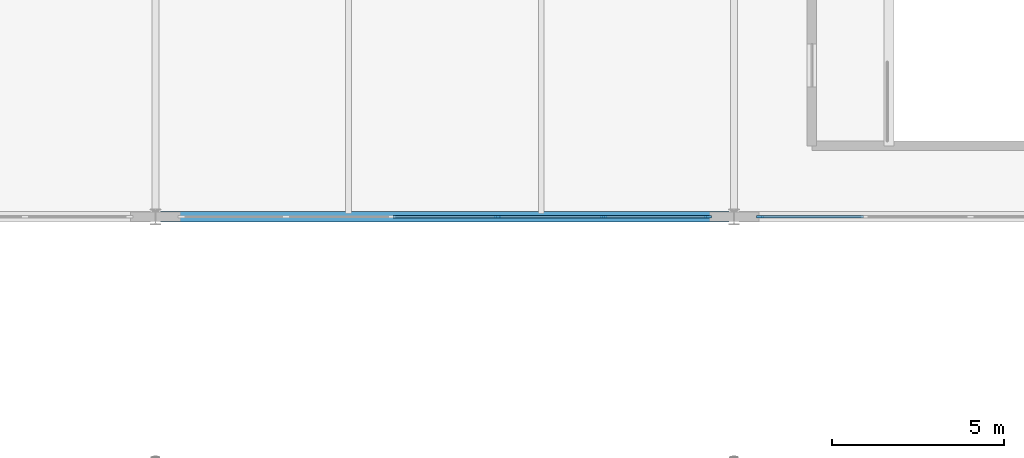
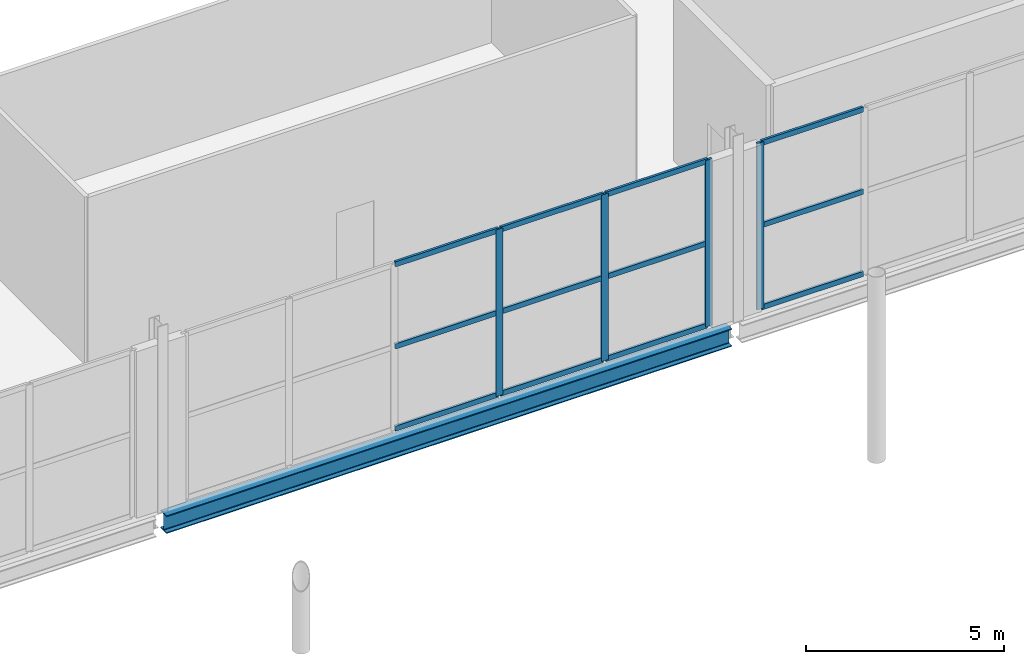
# One storey, part 23 of 84: 16 members, 1 beam, 2 elements without a shape of their own.
"""IFC4 building model written with IfcOpenShell, lengths in metres."""

from ifc_helpers import new_model, si_unit, direction, frame, origin, origin_2d, place, context, subcontext, project, spatial, rectangle, i_section, extrude, material, material_profile, profile_set, type_object, element, aggregate, save


model = new_model("IFC4")

# Units and contexts
model_context = context("Model", 3, precision=1e-05, world=origin(), true_north=direction((0.0, 1.0)))
body_context = subcontext(model_context, "Body", "Model", "MODEL_VIEW")
ifc_project = project(units=[si_unit("LENGTHUNIT", "METRE"), si_unit("AREAUNIT", "SQUARE_METRE"), si_unit("VOLUMEUNIT", "CUBIC_METRE"), si_unit("PLANEANGLEUNIT", "RADIAN"), si_unit("MASSUNIT", "GRAM", prefix="KILO")], contexts=[model_context])

# Site, building, storey
site_placement = place(None, origin())
site = spatial("IfcSite", under=ifc_project, at=site_placement, CompositionType="ELEMENT")
building_placement = place(site_placement, origin())
building = spatial("IfcBuilding", under=site, at=building_placement, Name="Kimbaza Rail Terminus", CompositionType="ELEMENT")
storey_placement = place(building_placement, frame((0.0, 0.0, 5.39990234375)))
storey = spatial("IfcBuildingStorey", under=building, at=storey_placement, Name="L01", CompositionType="ELEMENT", Elevation=5.39990234375)

# Curtain wall, members
ifc_material_1 = material(Name="Anodised aluminium framing and solar low-E glazing", Category="aluminium")
curtain_wall_type = type_object("IfcCurtainWallType", Name="ARC-CW-CN1", PredefinedType="USERDEFINED", material=ifc_material_1)
curtain_wall_1_placement = place(storey_placement, origin())
curtain_wall_1 = element("IfcCurtainWall", 1, at=curtain_wall_1_placement, inside=storey, type_object=curtain_wall_type, Name="South Concourse Upper Glazing L01 Bay 5", ObjectType="UNITISED CURTAIN WALL", PredefinedType="USERDEFINED")
ifc_material_2 = material(Name="Anodised architectural aluminium", Category="aluminium")
ifc_material_profile_1 = material_profile(ifc_material_2, rectangle(XDim=0.070068359375, YDim=0.199951171875, at=origin_2d()), Name="MULLION 70x200")
ifc_profile_set_1 = profile_set([ifc_material_profile_1], Name="Anodised architectural aluminium")
member_type_1 = type_object("IfcMemberType", Name="ARC-CWM-02", PredefinedType="MULLION", material=ifc_profile_set_1)
member_1_placement = place(storey_placement, frame((132.3359375, 41.0, 0.0), z_axis=(0.0, 0.0, 1.0), x_axis=(0.0, 1.0, 0.0)))
member_1 = element("IfcMember", 2, at=member_1_placement, type_object=member_type_1, Name="CW-02 mullion 4", PredefinedType="MULLION", context=body_context, shape_type="SweptSolid", body=[
    extrude(rectangle(XDim=0.070068359375, YDim=0.199951171875, at=origin_2d()), origin(), (0.0, 0.0, 1.0), 5.14013671875),
])
member_2_placement = place(storey_placement, frame((135.407958984375, 41.0, 0.0), z_axis=(0.0, 0.0, 1.0), x_axis=(0.0, 1.0, 0.0)))
member_2 = element("IfcMember", 3, at=member_2_placement, type_object=member_type_1, Name="CW-02 mullion 5", PredefinedType="MULLION", context=body_context, shape_type="SweptSolid", body=[
    extrude(rectangle(XDim=0.070068359375, YDim=0.199951171875, at=origin_2d()), origin(), (0.0, 0.0, 1.0), 5.14013671875),
])
member_3_placement = place(storey_placement, frame((138.445068359375, 41.0, 0.0), z_axis=(0.0, 0.0, 1.0), x_axis=(0.0, 1.0, 0.0)))
member_3 = element("IfcMember", 4, at=member_3_placement, type_object=member_type_1, Name="CW-02 mullion 6", PredefinedType="MULLION", context=body_context, shape_type="SweptSolid", body=[
    extrude(rectangle(XDim=0.070068359375, YDim=0.199951171875, at=origin_2d()), origin(), (0.0, 0.0, 1.0), 5.14013671875),
])

# Curtain wall, member
curtain_wall_2_placement = place(storey_placement, origin())
curtain_wall_2 = element("IfcCurtainWall", 5, at=curtain_wall_2_placement, inside=storey, type_object=curtain_wall_type, Name="South Concourse Upper Glazing L01 Bay 6", ObjectType="UNITISED CURTAIN WALL", PredefinedType="USERDEFINED")
member_4_placement = place(storey_placement, frame((139.955078125, 41.0, 0.0), z_axis=(0.0, 0.0, 1.0), x_axis=(0.0, 1.0, 0.0)))
member_4 = element("IfcMember", 6, at=member_4_placement, type_object=member_type_1, Name="CW-02 mullion 1", PredefinedType="MULLION", context=body_context, shape_type="SweptSolid", body=[
    extrude(rectangle(XDim=0.070068359375, YDim=0.199951171875, at=origin_2d()), origin(), (0.0, 0.0, 1.0), 5.14013671875),
])

# Member
ifc_material_3 = material(Name="Anodised architectural aluminium", Category="aluminium")
ifc_material_profile_2 = material_profile(ifc_material_3, rectangle(XDim=0.070068359375, YDim=0.159912109375, at=origin_2d()), Name="TRANSOM 70x160")
ifc_profile_set_2 = profile_set([ifc_material_profile_2], Name="Anodised architectural aluminium")
member_type_2 = type_object("IfcMemberType", Name="ARC-CWT-02", PredefinedType="USERDEFINED", material=ifc_profile_set_2)
member_5_placement = place(storey_placement, frame((129.299072265625, 41.0, 0.03515625), z_axis=(1.0, 0.0, 0.0), x_axis=(0.0, 1.0, 0.0)))
member_5 = element("IfcMember", 7, at=member_5_placement, type_object=member_type_2, Name="CW-02 transom 3.1", ObjectType="TRANSOM", PredefinedType="USERDEFINED", context=body_context, shape_type="SweptSolid", body=[
    extrude(rectangle(XDim=0.070068359375, YDim=0.159912109375, at=origin_2d()), origin(), (0.0, 0.0, 1.0), 3.001953125),
])

member_6_placement = place(storey_placement, frame((129.299072265625, 41.0, 2.570068359375), z_axis=(1.0, 0.0, 0.0), x_axis=(0.0, 1.0, 0.0)))
member_6 = element("IfcMember", 8, at=member_6_placement, type_object=member_type_2, Name="CW-02 transom 3.2", ObjectType="TRANSOM", PredefinedType="USERDEFINED", context=body_context, shape_type="SweptSolid", body=[
    extrude(rectangle(XDim=0.070068359375, YDim=0.159912109375, at=origin_2d()), origin(), (0.0, 0.0, 1.0), 3.001953125),
])

member_7_placement = place(storey_placement, frame((129.299072265625, 41.0, 5.10498046875), z_axis=(1.0, 0.0, 0.0), x_axis=(0.0, 1.0, 0.0)))
member_7 = element("IfcMember", 9, at=member_7_placement, type_object=member_type_2, Name="CW-02 transom 3.3", ObjectType="TRANSOM", PredefinedType="USERDEFINED", context=body_context, shape_type="SweptSolid", body=[
    extrude(rectangle(XDim=0.070068359375, YDim=0.159912109375, at=origin_2d()), origin(), (0.0, 0.0, 1.0), 3.001953125),
])

member_8_placement = place(storey_placement, frame((132.37109375, 41.0, 0.03515625), z_axis=(1.0, 0.0, 0.0), x_axis=(0.0, 1.0, 0.0)))
member_8 = element("IfcMember", 10, at=member_8_placement, type_object=member_type_2, Name="CW-02 transom 4.1", ObjectType="TRANSOM", PredefinedType="USERDEFINED", context=body_context, shape_type="SweptSolid", body=[
    extrude(rectangle(XDim=0.070068359375, YDim=0.159912109375, at=origin_2d()), origin(), (0.0, 0.0, 1.0), 3.001953125),
])

member_9_placement = place(storey_placement, frame((132.37109375, 41.0, 2.570068359375), z_axis=(1.0, 0.0, 0.0), x_axis=(0.0, 1.0, 0.0)))
member_9 = element("IfcMember", 11, at=member_9_placement, type_object=member_type_2, Name="CW-02 transom 4.2", ObjectType="TRANSOM", PredefinedType="USERDEFINED", context=body_context, shape_type="SweptSolid", body=[
    extrude(rectangle(XDim=0.070068359375, YDim=0.159912109375, at=origin_2d()), origin(), (0.0, 0.0, 1.0), 3.001953125),
])

member_10_placement = place(storey_placement, frame((132.37109375, 41.0, 5.10498046875), z_axis=(1.0, 0.0, 0.0), x_axis=(0.0, 1.0, 0.0)))
member_10 = element("IfcMember", 12, at=member_10_placement, type_object=member_type_2, Name="CW-02 transom 4.3", ObjectType="TRANSOM", PredefinedType="USERDEFINED", context=body_context, shape_type="SweptSolid", body=[
    extrude(rectangle(XDim=0.070068359375, YDim=0.159912109375, at=origin_2d()), origin(), (0.0, 0.0, 1.0), 3.001953125),
])

member_11_placement = place(storey_placement, frame((135.443115234375, 41.0, 0.03515625), z_axis=(1.0, 0.0, 0.0), x_axis=(0.0, 1.0, 0.0)))
member_11 = element("IfcMember", 13, at=member_11_placement, type_object=member_type_2, Name="CW-02 transom 5.1", ObjectType="TRANSOM", PredefinedType="USERDEFINED", context=body_context, shape_type="SweptSolid", body=[
    extrude(rectangle(XDim=0.070068359375, YDim=0.159912109375, at=origin_2d()), origin(), (0.0, 0.0, 1.0), 2.966796875),
])

member_12_placement = place(storey_placement, frame((135.443115234375, 41.0, 2.570068359375), z_axis=(1.0, 0.0, 0.0), x_axis=(0.0, 1.0, 0.0)))
member_12 = element("IfcMember", 14, at=member_12_placement, type_object=member_type_2, Name="CW-02 transom 5.2", ObjectType="TRANSOM", PredefinedType="USERDEFINED", context=body_context, shape_type="SweptSolid", body=[
    extrude(rectangle(XDim=0.070068359375, YDim=0.159912109375, at=origin_2d()), origin(), (0.0, 0.0, 1.0), 2.966796875),
])

member_13_placement = place(storey_placement, frame((135.443115234375, 41.0, 5.10498046875), z_axis=(1.0, 0.0, 0.0), x_axis=(0.0, 1.0, 0.0)))
member_13 = element("IfcMember", 15, at=member_13_placement, type_object=member_type_2, Name="CW-02 transom 5.3", ObjectType="TRANSOM", PredefinedType="USERDEFINED", context=body_context, shape_type="SweptSolid", body=[
    extrude(rectangle(XDim=0.070068359375, YDim=0.159912109375, at=origin_2d()), origin(), (0.0, 0.0, 1.0), 2.966796875),
])

aggregate(curtain_wall_1, [member_1, member_2, member_3, member_5, member_6, member_7, member_8, member_9, member_10, member_11, member_12, member_13])

member_14_placement = place(storey_placement, frame((139.989990234375, 41.0, 0.03515625), z_axis=(1.0, 0.0, 0.0), x_axis=(0.0, 1.0, 0.0)))
member_14 = element("IfcMember", 16, at=member_14_placement, type_object=member_type_2, Name="CW-02 transom 1.1", ObjectType="TRANSOM", PredefinedType="USERDEFINED", context=body_context, shape_type="SweptSolid", body=[
    extrude(rectangle(XDim=0.070068359375, YDim=0.159912109375, at=origin_2d()), origin(), (0.0, 0.0, 1.0), 2.967041015625),
])

member_15_placement = place(storey_placement, frame((139.989990234375, 41.0, 2.570068359375), z_axis=(1.0, 0.0, 0.0), x_axis=(0.0, 1.0, 0.0)))
member_15 = element("IfcMember", 17, at=member_15_placement, type_object=member_type_2, Name="CW-02 transom 1.2", ObjectType="TRANSOM", PredefinedType="USERDEFINED", context=body_context, shape_type="SweptSolid", body=[
    extrude(rectangle(XDim=0.070068359375, YDim=0.159912109375, at=origin_2d()), origin(), (0.0, 0.0, 1.0), 2.967041015625),
])

member_16_placement = place(storey_placement, frame((139.989990234375, 41.0, 5.10498046875), z_axis=(1.0, 0.0, 0.0), x_axis=(0.0, 1.0, 0.0)))
member_16 = element("IfcMember", 18, at=member_16_placement, type_object=member_type_2, Name="CW-02 transom 1.3", ObjectType="TRANSOM", PredefinedType="USERDEFINED", context=body_context, shape_type="SweptSolid", body=[
    extrude(rectangle(XDim=0.070068359375, YDim=0.159912109375, at=origin_2d()), origin(), (0.0, 0.0, 1.0), 2.967041015625),
])

aggregate(curtain_wall_2, [member_4, member_14, member_15, member_16])

# Beam
ifc_material_4 = material(Name="Steel S355", Category="steel")
ifc_material_profile_3 = material_profile(ifc_material_4, i_section(OverallWidth=0.300048828125, OverallDepth=0.550048828125, WebThickness=0.014892578125, FlangeThickness=0.029052734375, FilletRadius=0.027099609375, at=origin_2d()), Name="HEB 550")
ifc_profile_set_3 = profile_set([ifc_material_profile_3], Name="Steel S355")
beam_type = type_object("IfcBeamType", Name="STR-BM-HEB550", PredefinedType="BEAM", material=ifc_profile_set_3)
beam_placement = place(storey_placement, frame((122.5458984375, 41.0, -0.494873046875), z_axis=(1.0, 0.0, 0.0), x_axis=(0.0, 1.0, 0.0)))
element("IfcBeam", 19, at=beam_placement, inside=storey, type_object=beam_type, Name="Beam BM-V2X-L01-41-4", PredefinedType="BEAM", context=body_context, shape_type="SweptSolid", body=[
    extrude(i_section(OverallWidth=0.300048828125, OverallDepth=0.550048828125, WebThickness=0.014892578125, FlangeThickness=0.029052734375, FilletRadius=0.027099609375, at=origin_2d()), origin(), (0.0, 0.0, 1.0), 16.508056640625),
])

save(model, "model.ifc")
